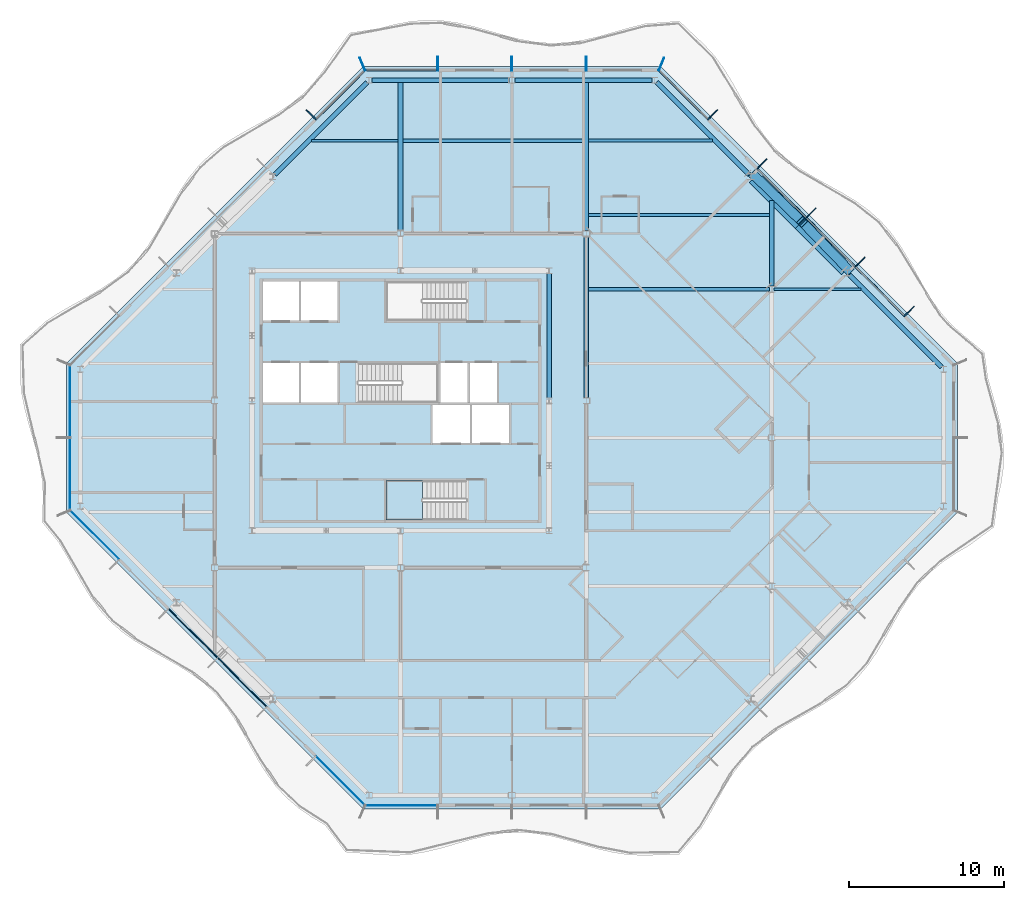
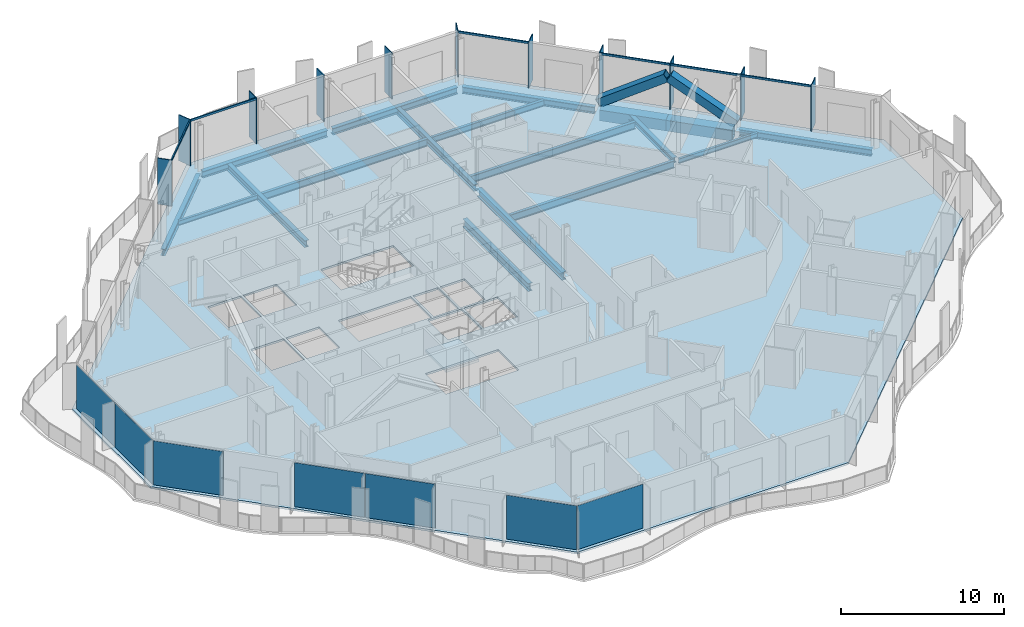
# One storey, part 5 of 17: 19 members, 18 beams, 7 plates, 2 slabs, 7 elements without a shape of their own.
"""IFC4 building model written with IfcOpenShell, lengths in metres."""

from ifc_helpers import new_model, si_unit, direction, frame, origin, origin_2d, place, context, subcontext, project, spatial, polyline, rectangle, hollow_rectangle, i_section, outline, extrude, material, layer, layer_set, material_profile, profile_set, type_object, element, aggregate, save


model = new_model("IFC4")

# Units and contexts
model_context = context("Model", 3, precision=1e-05, world=origin(), true_north=direction((0.0, 1.0)))
body_context = subcontext(model_context, "Body", "Model", "MODEL_VIEW")
ifc_project = project(units=[si_unit("LENGTHUNIT", "METRE"), si_unit("AREAUNIT", "SQUARE_METRE"), si_unit("VOLUMEUNIT", "CUBIC_METRE"), si_unit("PLANEANGLEUNIT", "RADIAN"), si_unit("MASSUNIT", "GRAM", prefix="KILO")], contexts=[model_context])

# Site, building, storey
site_placement = place(None, origin())
site = spatial("IfcSite", under=ifc_project, at=site_placement, CompositionType="ELEMENT")
building_placement = place(site_placement, origin())
building = spatial("IfcBuilding", under=site, at=building_placement, Name="Cairn Pilgrim Tower", CompositionType="ELEMENT")
storey_placement = place(building_placement, frame((0.0, 0.0, 253.800048828125)))
storey = spatial("IfcBuildingStorey", under=building, at=storey_placement, Name="L65", CompositionType="ELEMENT", Elevation=253.800048828125)

# Members
ifc_material_1 = material(Name="Structural steel S460M", Category="steel")
ifc_material_profile_1 = material_profile(ifc_material_1, hollow_rectangle(XDim=0.60009765625, YDim=0.60009765625, WallThickness=0.034912109375, at=origin_2d()), Name="BOX 600x600x35")
ifc_profile_set_1 = profile_set([ifc_material_profile_1], Name="Structural steel S460M")
member_type_1 = type_object("IfcMemberType", Name="BOX 600x600x35 BRACE", PredefinedType="BRACE", material=ifc_profile_set_1)
for number, where, z_axis, x_axis, name in (
    (1, (36.194580078125, 10.813232421875, 0.14990234375), (-0.593141693494, 0.611806144004, 0.523331800675), (-0.717973624454, -0.696070308653, 0.0), "XB-NE2-NE3-1"),
    (2, (30.01318359375, 16.99462890625, 0.14990234375), (0.611806144004, -0.593141693494, 0.523331800675), (0.696070308653, 0.717973624454, 0.0), "XB-NE2-NE3-2"),
):
    element("IfcMember", number, at=place(storey_placement, frame(where, z_axis=z_axis, x_axis=x_axis)), inside=storey, type_object=member_type_1, Name=name, PredefinedType="BRACE", context=body_context, shape_type="SweptSolid", body=[
        extrude(hollow_rectangle(XDim=0.60009765625, YDim=0.60009765625, WallThickness=0.034912109375, at=origin_2d()), origin(), (0.0, 0.0, 1.0), 5.035888671875),
    ])

# Beams
ifc_material_2 = material(Name="Structural steel S355J2", Category="steel")
ifc_material_profile_2 = material_profile(ifc_material_2, hollow_rectangle(XDim=0.699951171875, YDim=0.800048828125, WallThickness=0.0400390625, at=origin_2d()), Name="BOX 700x800x40")
ifc_profile_set_2 = profile_set([ifc_material_profile_2], Name="Structural steel S355J2")
beam_type_1 = type_object("IfcBeamType", Name="BOX 700x800x40 RING GIRDER", PredefinedType="SPANDREL", material=ifc_profile_set_2)
for number, where, z_axis, x_axis, name in (
    (3, (35.947265625, 10.780029296875, -0.550048828125), (-0.707106781187, 0.707106781187, 0.0), (-0.707106781187, -0.707106781187, 0.0), "RG3-NE2-NE3-1"),
    (4, (32.963623046875, 13.763671875, -0.550048828125), (-0.707106781187, 0.707106781187, 0.0), (-0.707106781187, -0.707106781187, 0.0), "RG3-NE2-NE3-2"),
):
    element("IfcBeam", number, at=place(storey_placement, frame(where, z_axis=z_axis, x_axis=x_axis)), inside=storey, type_object=beam_type_1, Name=name, PredefinedType="SPANDREL", context=body_context, shape_type="SweptSolid", body=[
        extrude(hollow_rectangle(XDim=0.699951171875, YDim=0.800048828125, WallThickness=0.0400390625, at=origin_2d()), origin(), (0.0, 0.0, 1.0), 4.219482421875),
    ])

# Curtain wall, members
ifc_material_3 = material(Name="Aluminium alloy 6063-T6 bronze anodised with Bronze tinted laminated low-E glass 8+16+8.8", Category="aluminium")
curtain_wall_type_1 = type_object("IfcCurtainWallType", Name="CHAMFER CORNER CURTAIN WALL", PredefinedType="NOTDEFINED", material=ifc_material_3)
curtain_wall_1_placement = place(storey_placement, origin())
curtain_wall_1 = element("IfcCurtainWall", 5, at=curtain_wall_1_placement, inside=storey, type_object=curtain_wall_type_1, Name="Chamfer Corner Curtain Wall NE", PredefinedType="NOTDEFINED")
ifc_material_4 = material(Name="Aluminium alloy 6063-T6 bronze anodised", Category="aluminium")
ifc_material_profile_3 = material_profile(ifc_material_4, rectangle(XDim=0.89990234375, YDim=0.06005859375, at=origin_2d()), Name="FIN MULLION 60x900 BRONZE")
ifc_profile_set_3 = profile_set([ifc_material_profile_3], Name="Aluminium alloy 6063-T6 bronze anodised")
member_type_2 = type_object("IfcMemberType", Name="FIN MULLION 60x900 BRONZE", PredefinedType="MULLION", material=ifc_profile_set_3)
member_1_placement = place(storey_placement, frame((40.0712890625, 8.1689453125, 0.0), z_axis=(0.0, 0.0, 1.0), x_axis=(0.707106781187, 0.707106781187, 0.0)))
member_1 = element("IfcMember", 6, at=member_1_placement, type_object=member_type_2, Name="Fin mullion NE2", PredefinedType="MULLION", context=body_context, shape_type="SweptSolid", body=[
    extrude(rectangle(XDim=0.89990234375, YDim=0.06005859375, at=origin_2d()), origin(), (0.0, 0.0, 1.0), 3.449951171875),
])
member_2_placement = place(storey_placement, frame((36.895751953125, 11.3447265625, 0.0), z_axis=(0.0, 0.0, 1.0), x_axis=(0.707106781187, 0.707106781187, 0.0)))
member_2 = element("IfcMember", 7, at=member_2_placement, type_object=member_type_2, Name="Fin mullion NE3", PredefinedType="MULLION", context=body_context, shape_type="SweptSolid", body=[
    extrude(rectangle(XDim=0.89990234375, YDim=0.06005859375, at=origin_2d()), origin(), (0.0, 0.0, 1.0), 3.449951171875),
])
member_3_placement = place(storey_placement, frame((33.72021484375, 14.520263671875, 0.0), z_axis=(0.0, 0.0, 1.0), x_axis=(0.707106781187, 0.707106781187, 0.0)))
member_3 = element("IfcMember", 8, at=member_3_placement, type_object=member_type_2, Name="Fin mullion NE4", PredefinedType="MULLION", context=body_context, shape_type="SweptSolid", body=[
    extrude(rectangle(XDim=0.89990234375, YDim=0.06005859375, at=origin_2d()), origin(), (0.0, 0.0, 1.0), 3.449951171875),
])
member_4_placement = place(storey_placement, frame((30.544677734375, 17.69580078125, 0.0), z_axis=(0.0, 0.0, 1.0), x_axis=(0.707106781187, 0.707106781187, 0.0)))
member_4 = element("IfcMember", 9, at=member_4_placement, type_object=member_type_2, Name="Fin mullion NE5", PredefinedType="MULLION", context=body_context, shape_type="SweptSolid", body=[
    extrude(rectangle(XDim=0.89990234375, YDim=0.06005859375, at=origin_2d()), origin(), (0.0, 0.0, 1.0), 3.449951171875),
])
member_5_placement = place(storey_placement, frame((27.369140625, 20.871337890625, 0.0), z_axis=(0.0, 0.0, 1.0), x_axis=(0.707106781187, 0.707106781187, 0.0)))
member_5 = element("IfcMember", 10, at=member_5_placement, type_object=member_type_2, Name="Fin mullion NE6", PredefinedType="MULLION", context=body_context, shape_type="SweptSolid", body=[
    extrude(rectangle(XDim=0.89990234375, YDim=0.06005859375, at=origin_2d()), origin(), (0.0, 0.0, 1.0), 3.449951171875),
])

curtain_wall_type_2 = type_object("IfcCurtainWallType", Name="TOWER STICK CURTAIN WALL NS", PredefinedType="NOTDEFINED", material=ifc_material_3)
curtain_wall_2_placement = place(storey_placement, origin())
curtain_wall_2 = element("IfcCurtainWall", 11, at=curtain_wall_2_placement, inside=storey, type_object=curtain_wall_type_2, Name="Tower Stick Curtain Wall Ns N", PredefinedType="NOTDEFINED")
member_6_placement = place(storey_placement, frame((24.05712890625, 24.137939453125, 0.0), z_axis=(0.0, 0.0, 1.0), x_axis=(0.382683432365, 0.923879532511, 0.0)))
member_6 = element("IfcMember", 12, at=member_6_placement, type_object=member_type_2, Name="Fin mullion N1", PredefinedType="MULLION", context=body_context, shape_type="SweptSolid", body=[
    extrude(rectangle(XDim=0.89990234375, YDim=0.06005859375, at=origin_2d()), origin(), (0.0, 0.0, 1.0), 3.449951171875),
])
member_7_placement = place(storey_placement, frame((19.199951171875, 24.169921875, 0.0), z_axis=(0.0, 0.0, 1.0), x_axis=(0.0, 1.0, 0.0)))
member_7 = element("IfcMember", 13, at=member_7_placement, type_object=member_type_2, Name="Fin mullion N2", PredefinedType="MULLION", context=body_context, shape_type="SweptSolid", body=[
    extrude(rectangle(XDim=0.89990234375, YDim=0.06005859375, at=origin_2d()), origin(), (0.0, 0.0, 1.0), 3.449951171875),
])
member_8_placement = place(storey_placement, frame((14.39990234375, 24.169921875, 0.0), z_axis=(0.0, 0.0, 1.0), x_axis=(0.0, 1.0, 0.0)))
member_8 = element("IfcMember", 14, at=member_8_placement, type_object=member_type_2, Name="Fin mullion N3", PredefinedType="MULLION", context=body_context, shape_type="SweptSolid", body=[
    extrude(rectangle(XDim=0.89990234375, YDim=0.06005859375, at=origin_2d()), origin(), (0.0, 0.0, 1.0), 3.449951171875),
])
member_9_placement = place(storey_placement, frame((9.60009765625, 24.169921875, 0.0), z_axis=(0.0, 0.0, 1.0), x_axis=(0.0, 1.0, 0.0)))
member_9 = element("IfcMember", 15, at=member_9_placement, type_object=member_type_2, Name="Fin mullion N4", PredefinedType="MULLION", context=body_context, shape_type="SweptSolid", body=[
    extrude(rectangle(XDim=0.89990234375, YDim=0.06005859375, at=origin_2d()), origin(), (0.0, 0.0, 1.0), 3.449951171875),
])

curtain_wall_3_placement = place(storey_placement, origin())
curtain_wall_3 = element("IfcCurtainWall", 16, at=curtain_wall_3_placement, inside=storey, type_object=curtain_wall_type_1, Name="Chamfer Corner Curtain Wall NW", PredefinedType="NOTDEFINED")
member_10_placement = place(storey_placement, frame((4.742919921875, 24.137939453125, 0.0), z_axis=(0.0, 0.0, 1.0), x_axis=(-0.382683432365, 0.923879532511, 0.0)))
member_10 = element("IfcMember", 17, at=member_10_placement, type_object=member_type_2, Name="Fin mullion NW1", PredefinedType="MULLION", context=body_context, shape_type="SweptSolid", body=[
    extrude(rectangle(XDim=0.89990234375, YDim=0.06005859375, at=origin_2d()), origin(), (0.0, 0.0, 1.0), 3.449951171875),
])
member_11_placement = place(storey_placement, frame((1.430908203125, 20.871337890625, 0.0), z_axis=(0.0, 0.0, 1.0), x_axis=(-0.707106781187, 0.707106781187, 0.0)))
member_11 = element("IfcMember", 18, at=member_11_placement, type_object=member_type_2, Name="Fin mullion NW2", PredefinedType="MULLION", context=body_context, shape_type="SweptSolid", body=[
    extrude(rectangle(XDim=0.89990234375, YDim=0.06005859375, at=origin_2d()), origin(), (0.0, 0.0, 1.0), 3.449951171875),
])

# Beams
ifc_material_profile_4 = material_profile(ifc_material_2, i_section(OverallWidth=0.300048828125, OverallDepth=0.39990234375, WebThickness=0.013427734375, FlangeThickness=0.02392578125, FilletRadius=0.027099609375, at=origin_2d()), Name="HEB 400")
ifc_profile_set_4 = profile_set([ifc_material_profile_4], Name="Structural steel S355J2")
beam_type_2 = type_object("IfcBeamType", Name="HEB 400 GIRDER", PredefinedType="BEAM", material=ifc_profile_set_4)
beam_1_placement = place(storey_placement, frame((31.199951171875, 9.799560546875, -0.35009765625), z_axis=(0.0, 1.0, 0.0), x_axis=(-1.0, 0.0, 0.0)))
element("IfcBeam", 19, at=beam_1_placement, inside=storey, type_object=beam_type_2, Name="PG5-4", PredefinedType="BEAM", context=body_context, shape_type="SweptSolid", body=[
    extrude(i_section(OverallWidth=0.300048828125, OverallDepth=0.39990234375, WebThickness=0.013427734375, FlangeThickness=0.02392578125, FilletRadius=0.027099609375, at=origin_2d()), origin(), (0.0, 0.0, 1.0), 5.545654296875),
])
ifc_material_profile_5 = material_profile(ifc_material_2, i_section(OverallWidth=0.300048828125, OverallDepth=0.5, WebThickness=0.014404296875, FlangeThickness=0.028076171875, FilletRadius=0.027099609375, at=origin_2d()), Name="HEB 500")
ifc_profile_set_5 = profile_set([ifc_material_profile_5], Name="Structural steel S355J2")
beam_type_3 = type_object("IfcBeamType", Name="HEB 500 GIRDER", PredefinedType="BEAM", material=ifc_profile_set_5)
for number, where, z_axis, x_axis, name in (
    (20, (7.199951171875, 13.39697265625, -0.400146484375), (0.0, 1.0, 0.0), (-1.0, 0.0, 0.0), "PG3-2"),
    (21, (19.199951171875, 13.39697265625, -0.400146484375), (0.0, 1.0, 0.0), (-1.0, 0.0, 0.0), "PG4-4"),
):
    element("IfcBeam", number, at=place(storey_placement, frame(where, z_axis=z_axis, x_axis=x_axis)), inside=storey, type_object=beam_type_3, Name=name, PredefinedType="BEAM", context=body_context, shape_type="SweptSolid", body=[
        extrude(i_section(OverallWidth=0.300048828125, OverallDepth=0.5, WebThickness=0.014404296875, FlangeThickness=0.028076171875, FilletRadius=0.027099609375, at=origin_2d()), origin(), (0.0, 0.0, 1.0), 9.5830078125),
    ])
ifc_material_profile_6 = material_profile(ifc_material_2, i_section(OverallWidth=0.300048828125, OverallDepth=0.5, WebThickness=0.014404296875, FlangeThickness=0.028076171875, FilletRadius=0.027099609375, at=origin_2d()), Name="HEB 500")
ifc_profile_set_6 = profile_set([ifc_material_profile_6], Name="Structural steel S355J2")
beam_type_4 = type_object("IfcBeamType", Name="HEB 500 RING GIRDER", PredefinedType="SPANDREL", material=ifc_profile_set_6)
for number, where, z_axis, x_axis, name in (
    (22, (42.17138671875, 4.555908203125, -0.400146484375), (-0.707106781187, 0.707106781187, 0.0), (-0.707106781187, -0.707106781187, 0.0), "RG3-NE1-NE2"),
    (23, (29.722900390625, 17.00439453125, -0.400146484375), (-0.707106781187, 0.707106781187, 0.0), (-0.707106781187, -0.707106781187, 0.0), "RG3-NE3-N1"),
):
    element("IfcBeam", number, at=place(storey_placement, frame(where, z_axis=z_axis, x_axis=x_axis)), inside=storey, type_object=beam_type_4, Name=name, PredefinedType="SPANDREL", context=body_context, shape_type="SweptSolid", body=[
        extrude(i_section(OverallWidth=0.300048828125, OverallDepth=0.5, WebThickness=0.014404296875, FlangeThickness=0.028076171875, FilletRadius=0.027099609375, at=origin_2d()), origin(), (0.0, 0.0, 1.0), 8.438720703125),
    ])
beam_2_placement = place(storey_placement, frame((23.4453125, 23.10009765625, -0.400146484375), z_axis=(-1.0, 0.0, 0.0), x_axis=(0.0, -1.0, 0.0)))
element("IfcBeam", 24, at=beam_2_placement, inside=storey, type_object=beam_type_4, Name="RG3-N1-N2", PredefinedType="SPANDREL", context=body_context, shape_type="SweptSolid", body=[
    extrude(i_section(OverallWidth=0.300048828125, OverallDepth=0.5, WebThickness=0.014404296875, FlangeThickness=0.028076171875, FilletRadius=0.027099609375, at=origin_2d()), origin(), (0.0, 0.0, 1.0), 8.863525390625),
])
beam_3_placement = place(storey_placement, frame((14.21826171875, 23.10009765625, -0.400146484375), z_axis=(-1.0, 0.0, 0.0), x_axis=(0.0, -1.0, 0.0)))
element("IfcBeam", 25, at=beam_3_placement, inside=storey, type_object=beam_type_4, Name="RG3-N2-NW1", PredefinedType="SPANDREL", context=body_context, shape_type="SweptSolid", body=[
    extrude(i_section(OverallWidth=0.300048828125, OverallDepth=0.5, WebThickness=0.014404296875, FlangeThickness=0.028076171875, FilletRadius=0.027099609375, at=origin_2d()), origin(), (0.0, 0.0, 1.0), 8.86376953125),
])
beam_4_placement = place(storey_placement, frame((5.044189453125, 22.971435546875, -0.400146484375), z_axis=(-0.707106781187, -0.707106781187, 0.0), x_axis=(0.707106781187, -0.707106781187, 0.0)))
element("IfcBeam", 26, at=beam_4_placement, inside=storey, type_object=beam_type_4, Name="RG3-NW1-NW2", PredefinedType="SPANDREL", context=body_context, shape_type="SweptSolid", body=[
    extrude(i_section(OverallWidth=0.300048828125, OverallDepth=0.5, WebThickness=0.014404296875, FlangeThickness=0.028076171875, FilletRadius=0.027099609375, at=origin_2d()), origin(), (0.0, 0.0, 1.0), 8.438720703125),
])
ifc_material_profile_7 = material_profile(ifc_material_2, i_section(OverallWidth=0.300048828125, OverallDepth=0.60009765625, WebThickness=0.015380859375, FlangeThickness=0.030029296875, FilletRadius=0.027099609375, at=origin_2d()), Name="HEB 600")
ifc_profile_set_7 = profile_set([ifc_material_profile_7], Name="Structural steel S355J2")
beam_type_5 = type_object("IfcBeamType", Name="HEB 600 CORE BEAM", PredefinedType="BEAM", material=ifc_profile_set_7)
beam_5_placement = place(storey_placement, frame((16.800048828125, 2.5791015625, -0.449951171875), z_axis=(0.0, 1.0, 0.0), x_axis=(-1.0, 0.0, 0.0)))
element("IfcBeam", 27, at=beam_5_placement, inside=storey, type_object=beam_type_5, Name="CB-4", PredefinedType="BEAM", context=body_context, shape_type="SweptSolid", body=[
    extrude(i_section(OverallWidth=0.300048828125, OverallDepth=0.60009765625, WebThickness=0.015380859375, FlangeThickness=0.030029296875, FilletRadius=0.027099609375, at=origin_2d()), origin(), (0.0, 0.0, 1.0), 8.041748046875),
])
ifc_material_profile_8 = material_profile(ifc_material_2, i_section(OverallWidth=0.300048828125, OverallDepth=0.60009765625, WebThickness=0.015380859375, FlangeThickness=0.030029296875, FilletRadius=0.027099609375, at=origin_2d()), Name="HEB 600")
ifc_profile_set_8 = profile_set([ifc_material_profile_8], Name="Structural steel S355J2")
beam_type_6 = type_object("IfcBeamType", Name="HEB 600 GIRDER", PredefinedType="BEAM", material=ifc_profile_set_8)
beam_6_placement = place(storey_placement, frame((19.199951171875, 2.596923828125, -0.449951171875), z_axis=(0.0, 1.0, 0.0), x_axis=(-1.0, 0.0, 0.0)))
element("IfcBeam", 28, at=beam_6_placement, inside=storey, type_object=beam_type_6, Name="PG4-3", PredefinedType="BEAM", context=body_context, shape_type="SweptSolid", body=[
    extrude(i_section(OverallWidth=0.300048828125, OverallDepth=0.60009765625, WebThickness=0.015380859375, FlangeThickness=0.030029296875, FilletRadius=0.027099609375, at=origin_2d()), origin(), (0.0, 0.0, 1.0), 10.406005859375),
])
ifc_material_profile_9 = material_profile(ifc_material_2, i_section(OverallWidth=0.169921875, OverallDepth=0.360107421875, WebThickness=0.008056640625, FlangeThickness=0.0126953125, FilletRadius=0.01806640625, at=origin_2d()), Name="IPE 360")
ifc_profile_set_9 = profile_set([ifc_material_profile_9], Name="Structural steel S355J2")
beam_type_7 = type_object("IfcBeamType", Name="IPE 360 SECONDARY BEAM", PredefinedType="JOIST", material=ifc_profile_set_9)
beam_7_placement = place(storey_placement, frame((31.35009765625, 9.60009765625, -0.330078125), z_axis=(1.0, 0.0, 0.0), x_axis=(0.0, 1.0, 0.0)))
element("IfcBeam", 29, at=beam_7_placement, inside=storey, type_object=beam_type_7, Name="SB7-3", PredefinedType="JOIST", context=body_context, shape_type="SweptSolid", body=[
    extrude(i_section(OverallWidth=0.169921875, OverallDepth=0.360107421875, WebThickness=0.008056640625, FlangeThickness=0.0126953125, FilletRadius=0.01806640625, at=origin_2d()), origin(), (0.0, 0.0, 1.0), 5.594970703125),
])
beam_8_placement = place(storey_placement, frame((1.454833984375, 19.199951171875, -0.330078125), z_axis=(1.0, 0.0, 0.0), x_axis=(0.0, 1.0, 0.0)))
element("IfcBeam", 30, at=beam_8_placement, inside=storey, type_object=beam_type_7, Name="SB9-1", PredefinedType="JOIST", context=body_context, shape_type="SweptSolid", body=[
    extrude(i_section(OverallWidth=0.169921875, OverallDepth=0.360107421875, WebThickness=0.008056640625, FlangeThickness=0.0126953125, FilletRadius=0.01806640625, at=origin_2d()), origin(), (0.0, 0.0, 1.0), 5.59521484375),
])
ifc_material_profile_10 = material_profile(ifc_material_2, i_section(OverallWidth=0.18994140625, OverallDepth=0.449951171875, WebThickness=0.009521484375, FlangeThickness=0.0146484375, FilletRadius=0.02099609375, at=origin_2d()), Name="IPE 450")
ifc_profile_set_10 = profile_set([ifc_material_profile_10], Name="Structural steel S355J2")
beam_type_8 = type_object("IfcBeamType", Name="IPE 450 SECONDARY BEAM", PredefinedType="JOIST", material=ifc_profile_set_10)
beam_9_placement = place(storey_placement, frame((19.35009765625, 19.199951171875, -0.375), z_axis=(1.0, 0.0, 0.0), x_axis=(0.0, 1.0, 0.0)))
element("IfcBeam", 31, at=beam_9_placement, inside=storey, type_object=beam_type_8, Name="SB9-3", PredefinedType="JOIST", context=body_context, shape_type="SweptSolid", body=[
    extrude(i_section(OverallWidth=0.18994140625, OverallDepth=0.449951171875, WebThickness=0.009521484375, FlangeThickness=0.0146484375, FilletRadius=0.02099609375, at=origin_2d()), origin(), (0.0, 0.0, 1.0), 7.9951171875),
])
ifc_material_profile_11 = material_profile(ifc_material_2, i_section(OverallWidth=0.2099609375, OverallDepth=0.550048828125, WebThickness=0.010986328125, FlangeThickness=0.01708984375, FilletRadius=0.02392578125, at=origin_2d()), Name="IPE 550")
ifc_profile_set_11 = profile_set([ifc_material_profile_11], Name="Structural steel S355J2")
beam_type_9 = type_object("IfcBeamType", Name="IPE 550 SECONDARY BEAM", PredefinedType="JOIST", material=ifc_profile_set_11)
for number, where, z_axis, x_axis, name in (
    (32, (19.35009765625, 9.60009765625, -0.425048828125), (1.0, 0.0, 0.0), (0.0, 1.0, 0.0), "SB7-2"),
    (33, (19.35009765625, 14.39990234375, -0.425048828125), (1.0, 0.0, 0.0), (0.0, 1.0, 0.0), "SB8-1"),
    (34, (7.35009765625, 19.199951171875, -0.425048828125), (1.0, 0.0, 0.0), (0.0, 1.0, 0.0), "SB9-2"),
):
    element("IfcBeam", number, at=place(storey_placement, frame(where, z_axis=z_axis, x_axis=x_axis)), inside=storey, type_object=beam_type_9, Name=name, PredefinedType="JOIST", context=body_context, shape_type="SweptSolid", body=[
        extrude(i_section(OverallWidth=0.2099609375, OverallDepth=0.550048828125, WebThickness=0.010986328125, FlangeThickness=0.01708984375, FilletRadius=0.02392578125, at=origin_2d()), origin(), (0.0, 0.0, 1.0), 11.699951171875),
    ])

# Member
ifc_material_profile_12 = material_profile(ifc_material_4, rectangle(XDim=0.080078125, YDim=0.14990234375, at=origin_2d()), Name="TRANSOM 80x150 BRONZE")
ifc_profile_set_12 = profile_set([ifc_material_profile_12], Name="Aluminium alloy 6063-T6 bronze anodised")
member_type_3 = type_object("IfcMemberType", Name="TRANSOM 80x150 BRONZE", PredefinedType="USERDEFINED", material=ifc_profile_set_12)
member_12_placement = place(storey_placement, frame((39.753173828125, 7.893310546875, 3.375), z_axis=(-0.707106781187, 0.707106781187, 0.0), x_axis=(-0.707106781187, -0.707106781187, 0.0)))
member_12 = element("IfcMember", 35, at=member_12_placement, type_object=member_type_3, Name="Transom NE2", ObjectType="TRANSOM", PredefinedType="USERDEFINED", context=body_context, shape_type="SweptSolid", body=[
    extrude(rectangle(XDim=0.080078125, YDim=0.14990234375, at=origin_2d()), origin(), (0.0, 0.0, 1.0), 4.430908203125),
])

member_13_placement = place(storey_placement, frame((36.57763671875, 11.06884765625, 3.375), z_axis=(-0.707134329907, 0.707079231393, 0.0), x_axis=(-0.707079231393, -0.707134329907, 0.0)))
member_13 = element("IfcMember", 36, at=member_13_placement, type_object=member_type_3, Name="Transom NE3", ObjectType="TRANSOM", PredefinedType="USERDEFINED", context=body_context, shape_type="SweptSolid", body=[
    extrude(rectangle(XDim=0.080078125, YDim=0.14990234375, at=origin_2d()), origin(), (0.0, 0.0, 1.0), 4.430908203125),
])

member_14_placement = place(storey_placement, frame((33.402099609375, 14.244384765625, 3.375), z_axis=(-0.707106781187, 0.707106781187, 0.0), x_axis=(-0.707106781187, -0.707106781187, 0.0)))
member_14 = element("IfcMember", 37, at=member_14_placement, type_object=member_type_3, Name="Transom NE4", ObjectType="TRANSOM", PredefinedType="USERDEFINED", context=body_context, shape_type="SweptSolid", body=[
    extrude(rectangle(XDim=0.080078125, YDim=0.14990234375, at=origin_2d()), origin(), (0.0, 0.0, 1.0), 4.43115234375),
])

member_15_placement = place(storey_placement, frame((27.05078125, 20.595703125, 3.375), z_axis=(-0.707106781187, 0.707106781187, 0.0), x_axis=(-0.707106781187, -0.707106781187, 0.0)))
member_15 = element("IfcMember", 38, at=member_15_placement, type_object=member_type_3, Name="Transom NE6", ObjectType="TRANSOM", PredefinedType="USERDEFINED", context=body_context, shape_type="SweptSolid", body=[
    extrude(rectangle(XDim=0.080078125, YDim=0.14990234375, at=origin_2d()), origin(), (0.0, 0.0, 1.0), 4.4208984375),
])

aggregate(curtain_wall_1, [member_1, member_2, member_3, member_4, member_5, member_12, member_13, member_14, member_15])

member_16_placement = place(storey_placement, frame((9.570068359375, 23.75, 3.375), z_axis=(-1.0, 0.0, 0.0), x_axis=(0.0, -1.0, 0.0)))
member_16 = element("IfcMember", 39, at=member_16_placement, type_object=member_type_3, Name="Transom N4", ObjectType="TRANSOM", PredefinedType="USERDEFINED", context=body_context, shape_type="SweptSolid", body=[
    extrude(rectangle(XDim=0.080078125, YDim=0.14990234375, at=origin_2d()), origin(), (0.0, 0.0, 1.0), 4.62646484375),
])

aggregate(curtain_wall_2, [member_6, member_7, member_8, member_9, member_16])

member_17_placement = place(storey_placement, frame((4.875244140625, 23.7216796875, 3.375), z_axis=(-0.707106781187, -0.707106781187, 0.0), x_axis=(0.707106781187, -0.707106781187, 0.0)))
member_17 = element("IfcMember", 40, at=member_17_placement, type_object=member_type_3, Name="Transom NW1", ObjectType="TRANSOM", PredefinedType="USERDEFINED", context=body_context, shape_type="SweptSolid", body=[
    extrude(rectangle(XDim=0.080078125, YDim=0.14990234375, at=origin_2d()), origin(), (0.0, 0.0, 1.0), 4.4208984375),
])

aggregate(curtain_wall_3, [member_10, member_11, member_17])

# Slab
ifc_material_5 = material(Name="Concrete C35/45", Category="concrete")
ifc_layer_1 = layer(ifc_material_5, 0.14990234375)
ifc_layer_set_1 = layer_set([ifc_layer_1], Name="COMPOSITE FLOOR SLAB 150")
slab_type_1 = type_object("IfcSlabType", Name="COMPOSITE FLOOR SLAB 150", PredefinedType="FLOOR", material=ifc_layer_set_1)
slab_1_placement = place(storey_placement, frame((0.0, 0.0, -0.150146484375)))
element("IfcSlab", 41, at=slab_1_placement, inside=storey, type_object=slab_type_1, Name="FLOOR SLAB L65", PredefinedType="FLOOR", context=body_context, shape_type="SweptSolid", body=[
    extrude(outline(polyline([(4.800048828125, -24.0), (24.0, -24.0), (43.199951171875, -4.800048828125), (43.199951171875, 4.800048828125), (24.0, 24.0), (4.800048828125, 24.0), (-14.39990234375, 4.800048828125), (-14.39990234375, -4.800048828125), (4.800048828125, -24.0)]), holes=[polyline([(9.27490234375, -0.324951171875), (11.675048828125, -0.324951171875), (11.675048828125, 2.125), (9.27490234375, 2.125), (9.27490234375, -0.324951171875)]), polyline([(11.824951171875, -0.324951171875), (14.22509765625, -0.324951171875), (14.22509765625, 2.125), (11.824951171875, 2.125), (11.824951171875, -0.324951171875)]), polyline([(-1.72509765625, 2.27490234375), (0.625, 2.27490234375), (0.625, 4.824951171875), (-1.72509765625, 4.824951171875), (-1.72509765625, 2.27490234375)]), polyline([(0.77490234375, 2.27490234375), (3.125, 2.27490234375), (3.125, 4.824951171875), (0.77490234375, 4.824951171875), (0.77490234375, 2.27490234375)]), polyline([(-1.72509765625, 7.574951171875), (0.625, 7.574951171875), (0.625, 10.10009765625), (-1.72509765625, 10.10009765625), (-1.72509765625, 7.574951171875)]), polyline([(0.77490234375, 7.574951171875), (3.125, 7.574951171875), (3.125, 10.10009765625), (0.77490234375, 10.10009765625), (0.77490234375, 7.574951171875)]), polyline([(9.77490234375, 2.27490234375), (11.52490234375, 2.27490234375), (11.52490234375, 4.824951171875), (9.77490234375, 4.824951171875), (9.77490234375, 2.27490234375)]), polyline([(11.675048828125, 2.27490234375), (13.425048828125, 2.27490234375), (13.425048828125, 4.824951171875), (11.675048828125, 4.824951171875), (11.675048828125, 2.27490234375)]), polyline([(11.424560546875, -2.77490234375), (6.27490234375, -2.77490234375), (6.27490234375, -5.300048828125), (11.424560546875, -5.300048828125), (11.424560546875, -2.77490234375)]), polyline([(4.4755859375, 2.27490234375), (9.625, 2.27490234375), (9.625, 4.824951171875), (4.4755859375, 4.824951171875), (4.4755859375, 2.27490234375)]), polyline([(11.424560546875, 10.10009765625), (6.27490234375, 10.10009765625), (6.27490234375, 7.574951171875), (11.424560546875, 7.574951171875), (11.424560546875, 10.10009765625)])]), origin(), (0.0, 0.0, 1.0), 0.150146484375),
])

# Curtain wall, plates
curtain_wall_4_placement = place(storey_placement, origin())
curtain_wall_4 = element("IfcCurtainWall", 42, at=curtain_wall_4_placement, inside=storey, type_object=curtain_wall_type_1, Name="Chamfer Corner Curtain Wall SW", PredefinedType="NOTDEFINED")
ifc_material_6 = material(Name="Bronze anodised aluminium spandrel panel with mineral wool insulation", Category="aluminium")
ifc_layer_2 = layer(ifc_material_6, 0.06005859375)
ifc_layer_set_2 = layer_set([ifc_layer_2], Name="SPANDREL PANEL 4431x3300")
plate_type_1 = type_object("IfcPlateType", Name="SPANDREL PANEL 4431x3300", PredefinedType="CURTAIN_PANEL", material=ifc_layer_set_2)
plate_1_placement = place(storey_placement, frame((-6.2109375, -12.635498046875, 0.0), z_axis=(0.0, 0.0, 1.0), x_axis=(0.707106781187, -0.707106781187, 0.0)))
plate_1 = element("IfcPlate", 43, at=plate_1_placement, type_object=plate_type_1, Name="Spandrel Panel SW3-1", PredefinedType="CURTAIN_PANEL", context=body_context, shape_type="SweptSolid", body=[
    extrude(rectangle(XDim=4.430908203125, YDim=0.06005859375, at=origin_2d()), origin(), (0.0, 0.0, 1.0), 3.300048828125),
])
plate_2_placement = place(storey_placement, frame((-3.035400390625, -15.81103515625, 0.0), z_axis=(0.0, 0.0, 1.0), x_axis=(0.707106781187, -0.707106781187, 0.0)))
plate_2 = element("IfcPlate", 44, at=plate_2_placement, type_object=plate_type_1, Name="Spandrel Panel SW4-1", PredefinedType="CURTAIN_PANEL", context=body_context, shape_type="SweptSolid", body=[
    extrude(rectangle(XDim=4.430908203125, YDim=0.06005859375, at=origin_2d()), origin(), (0.0, 0.0, 1.0), 3.300048828125),
])

# Stair, slab
ifc_material_7 = material(Name="Concrete C32/40", Category="concrete")
stair_type = type_object("IfcStairType", Name="EXIT STAIR 1200", PredefinedType="HALF_TURN_STAIR", material=ifc_material_7)
stair_placement = place(storey_placement, origin())
stair = element("IfcStair", 45, at=stair_placement, inside=storey, type_object=stair_type, Name="L65 Exit Stair A", PredefinedType="HALF_TURN_STAIR")
ifc_layer_3 = layer(ifc_material_7, 0.199951171875)
ifc_layer_set_3 = layer_set([ifc_layer_3], Name="STAIR LANDING 200")
slab_type_2 = type_object("IfcSlabType", Name="STAIR LANDING 200", PredefinedType="LANDING", material=ifc_layer_set_3)
slab_2_placement = place(storey_placement, frame((0.0, 0.0, 1.599853515625)))
slab_2 = element("IfcSlab", 46, at=slab_2_placement, type_object=slab_type_2, Name="ST-A landing 1", PredefinedType="LANDING", context=body_context, shape_type="SweptSolid", body=[
    extrude(outline(polyline([(8.625, -2.77490234375), (6.27490234375, -2.77490234375), (6.27490234375, -5.300048828125), (8.625, -5.300048828125), (8.625, -2.77490234375)])), origin(), (0.0, 0.0, 1.0), 0.2001953125),
])
aggregate(stair, [slab_2])

# Plate
ifc_material_8 = material(Name="Bronze tinted laminated low-E glass 8+16+8.8", Category="glass")
ifc_layer_4 = layer(ifc_material_8, 0.033935546875)
ifc_layer_set_4 = layer_set([ifc_layer_4], Name="VISION GLAZING 4421x3300")
plate_type_2 = type_object("IfcPlateType", Name="VISION GLAZING 4421x3300", PredefinedType="CURTAIN_PANEL", material=ifc_layer_set_4)
plate_3_placement = place(storey_placement, frame((-12.55859375, -6.287841796875, 0.0), z_axis=(0.0, 0.0, 1.0), x_axis=(0.707106781187, -0.707106781187, 0.0)))
plate_3 = element("IfcPlate", 47, at=plate_3_placement, type_object=plate_type_2, Name="Vision Glazing SW1-1", PredefinedType="CURTAIN_PANEL", context=body_context, shape_type="SweptSolid", body=[
    extrude(rectangle(XDim=4.4208984375, YDim=0.033935546875, at=origin_2d()), origin(), (0.0, 0.0, 1.0), 3.300048828125),
])

plate_4_placement = place(storey_placement, frame((3.312255859375, -22.15869140625, 0.0), z_axis=(0.0, 0.0, 1.0), x_axis=(0.707106781187, -0.707106781187, 0.0)))
plate_4 = element("IfcPlate", 48, at=plate_4_placement, type_object=plate_type_2, Name="Vision Glazing SW6-1", PredefinedType="CURTAIN_PANEL", context=body_context, shape_type="SweptSolid", body=[
    extrude(rectangle(XDim=4.4208984375, YDim=0.033935546875, at=origin_2d()), origin(), (0.0, 0.0, 1.0), 3.300048828125),
])

aggregate(curtain_wall_4, [plate_3, plate_1, plate_2, plate_4])

# Curtain wall, plate
curtain_wall_5_placement = place(storey_placement, origin())
curtain_wall_5 = element("IfcCurtainWall", 49, at=curtain_wall_5_placement, inside=storey, type_object=curtain_wall_type_2, Name="Tower Stick Curtain Wall Ns S", PredefinedType="NOTDEFINED")
ifc_layer_5 = layer(ifc_material_8, 0.033935546875)
ifc_layer_set_5 = layer_set([ifc_layer_5], Name="VISION GLAZING 4626x3300")
plate_type_3 = type_object("IfcPlateType", Name="VISION GLAZING 4626x3300", PredefinedType="CURTAIN_PANEL", material=ifc_layer_set_5)
plate_5_placement = place(storey_placement, frame((7.2568359375, -23.75, 0.0), z_axis=(0.0, 0.0, 1.0), x_axis=(1.0, 0.0, 0.0)))
plate_5 = element("IfcPlate", 50, at=plate_5_placement, type_object=plate_type_3, Name="Vision Glazing S1-1", PredefinedType="CURTAIN_PANEL", context=body_context, shape_type="SweptSolid", body=[
    extrude(rectangle(XDim=4.62646484375, YDim=0.033935546875, at=origin_2d()), origin(), (0.0, 0.0, 1.0), 3.300048828125),
])
aggregate(curtain_wall_5, [plate_5])

# Curtain wall, plates
curtain_wall_type_3 = type_object("IfcCurtainWallType", Name="TOWER STICK CURTAIN WALL EW", PredefinedType="NOTDEFINED", material=ifc_material_3)
curtain_wall_6_placement = place(storey_placement, origin())
curtain_wall_6 = element("IfcCurtainWall", 51, at=curtain_wall_6_placement, inside=storey, type_object=curtain_wall_type_3, Name="Tower Stick Curtain Wall Ew W", PredefinedType="NOTDEFINED")
plate_6_placement = place(storey_placement, frame((-14.14990234375, 2.34326171875, 0.0), z_axis=(0.0, 0.0, 1.0), x_axis=(0.0, -1.0, 0.0)))
plate_6 = element("IfcPlate", 52, at=plate_6_placement, type_object=plate_type_3, Name="Vision Glazing W1-1", PredefinedType="CURTAIN_PANEL", context=body_context, shape_type="SweptSolid", body=[
    extrude(rectangle(XDim=4.62646484375, YDim=0.033935546875, at=origin_2d()), origin(), (0.0, 0.0, 1.0), 3.300048828125),
])
plate_7_placement = place(storey_placement, frame((-14.14990234375, -2.34326171875, 0.0), z_axis=(0.0, 0.0, 1.0), x_axis=(0.0, -1.0, 0.0)))
plate_7 = element("IfcPlate", 53, at=plate_7_placement, type_object=plate_type_3, Name="Vision Glazing W2-1", PredefinedType="CURTAIN_PANEL", context=body_context, shape_type="SweptSolid", body=[
    extrude(rectangle(XDim=4.62646484375, YDim=0.033935546875, at=origin_2d()), origin(), (0.0, 0.0, 1.0), 3.300048828125),
])
aggregate(curtain_wall_6, [plate_6, plate_7])

save(model, "model.ifc")
